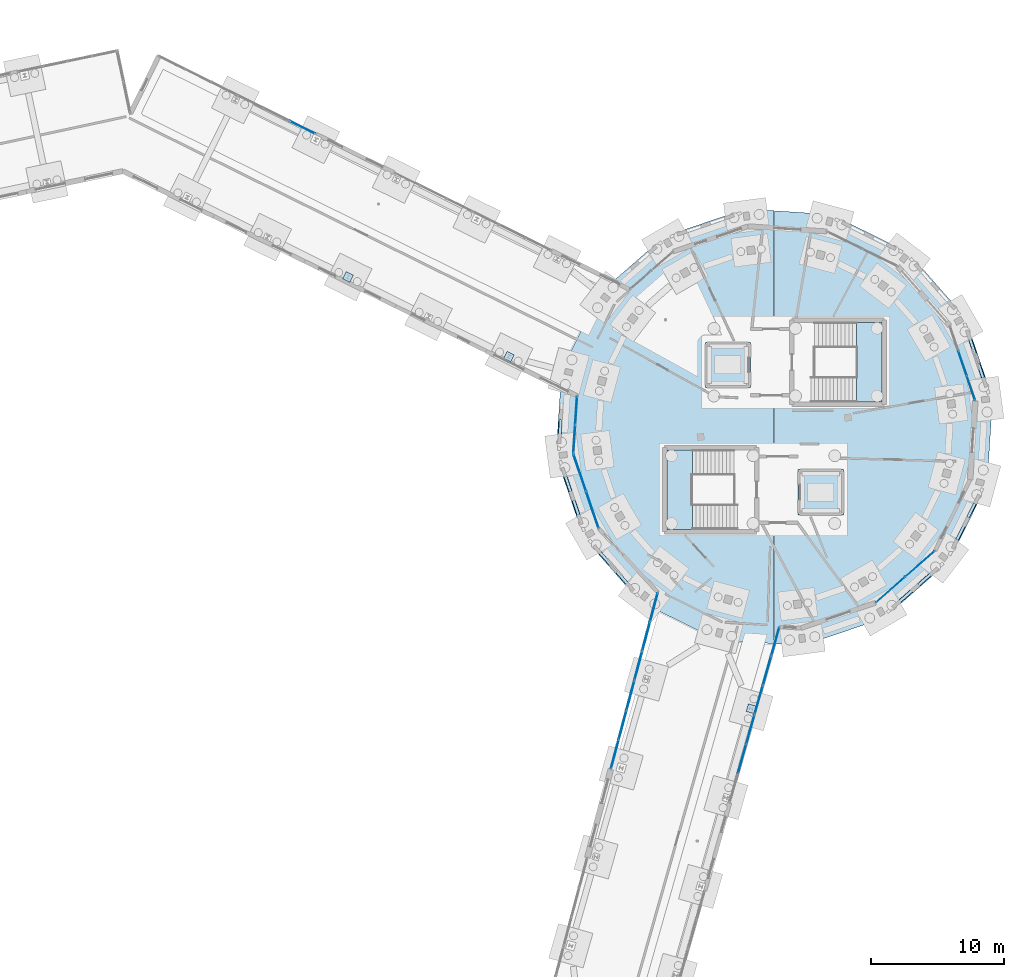
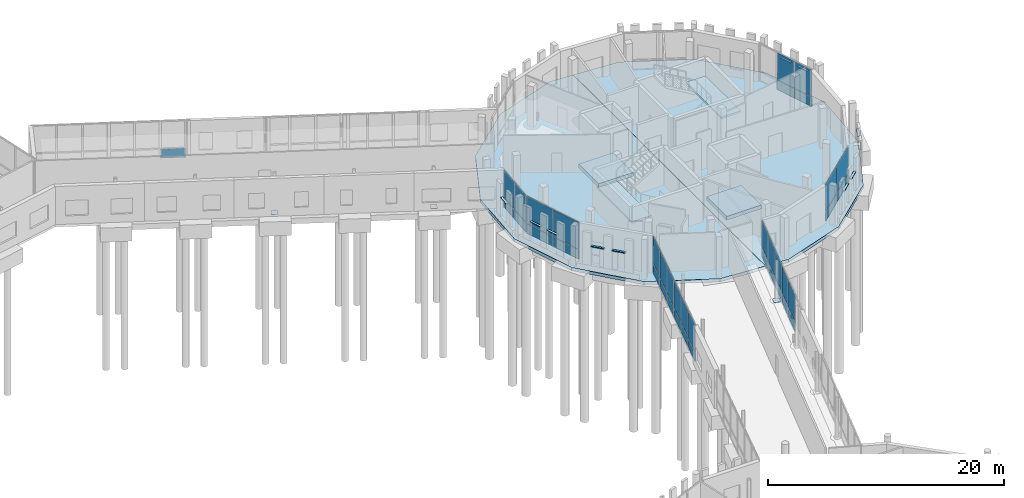
# One storey, part 73 of 113: 53 plates, 6 slabs, 11 elements without a shape of their own.
"""IFC4 building model written with IfcOpenShell, lengths in metres."""

from ifc_helpers import new_model, si_unit, direction, frame, origin, origin_2d, place, context, subcontext, project, spatial, polyline, rectangle, outline, extrude, material, layer, layer_set, type_object, element, aggregate, save


model = new_model("IFC4")

# Units and contexts
model_context = context("Model", 3, precision=1e-05, world=origin(), true_north=direction((0.0, 1.0)))
body_context = subcontext(model_context, "Body", "Model", "MODEL_VIEW")
ifc_project = project(units=[si_unit("LENGTHUNIT", "METRE"), si_unit("AREAUNIT", "SQUARE_METRE"), si_unit("VOLUMEUNIT", "CUBIC_METRE"), si_unit("PLANEANGLEUNIT", "RADIAN"), si_unit("MASSUNIT", "GRAM", prefix="KILO")], contexts=[model_context])

# Site, building, storey
site_placement = place(None, origin())
site = spatial("IfcSite", under=ifc_project, at=site_placement, CompositionType="ELEMENT")
building_placement = place(site_placement, origin())
building = spatial("IfcBuilding", under=site, at=building_placement, Name="Wrenclough Park School", CompositionType="ELEMENT")
storey_placement = place(building_placement, origin())
storey = spatial("IfcBuildingStorey", under=building, at=storey_placement, Name="L00", CompositionType="ELEMENT", Elevation=0.0)

# Curtain wall, plates
ifc_material_1 = material(Name="Thermally broken aluminium and low-e glass curtain wall", Category="aluminium")
curtain_wall_type_1 = type_object("IfcCurtainWallType", Name="ENV-CW-09", PredefinedType="USERDEFINED", material=ifc_material_1)
curtain_wall_1_placement = place(storey_placement, origin())
curtain_wall_1 = element("IfcCurtainWall", 1, at=curtain_wall_1_placement, inside=storey, type_object=curtain_wall_type_1, Name="L00 recessed curtain wall assembly 024", ObjectType="CURTAIN WALL", PredefinedType="USERDEFINED")
ifc_material_2 = material(Name="Double-glazed solar-control low-e glass", Category="glass")
ifc_layer_1 = layer(ifc_material_2, 0.02587890625)
ifc_layer_set_1 = layer_set([ifc_layer_1], Name="Double-glazed solar-control low-e glass")
plate_type_1 = type_object("IfcPlateType", Name="ENV-CWP-GL26", PredefinedType="CURTAIN_PANEL", material=ifc_layer_set_1)
plate_1_placement = place(storey_placement, frame((188.68896484375, 98.31640625, 0.06005859375), z_axis=(0.0, 0.0, 1.0), x_axis=(0.321428688473, -0.946933787668, 0.0)))
plate_1 = element("IfcPlate", 2, at=plate_1_placement, type_object=plate_type_1, Name="CW-09 panel 2.1", PredefinedType="CURTAIN_PANEL", context=body_context, shape_type="SweptSolid", body=[
    extrude(rectangle(XDim=1.92431640625, YDim=0.02587890625, at=origin_2d()), origin(), (0.0, 0.0, 1.0), 0.9599609375),
])
plate_2_placement = place(storey_placement, frame((188.68896484375, 98.31640625, 1.080078125), z_axis=(0.0, 0.0, 1.0), x_axis=(0.321428688473, -0.946933787668, 0.0)))
plate_2 = element("IfcPlate", 3, at=plate_2_placement, type_object=plate_type_1, Name="CW-09 panel 2.2", PredefinedType="CURTAIN_PANEL", context=body_context, shape_type="SweptSolid", body=[
    extrude(rectangle(XDim=1.92431640625, YDim=0.02587890625, at=origin_2d()), origin(), (0.0, 0.0, 1.0), 2.800048828125),
])
plate_3_placement = place(storey_placement, frame((189.322021484375, 96.45166015625, 0.06005859375), z_axis=(0.0, 0.0, 1.0), x_axis=(0.321428688473, -0.946933787668, 0.0)))
plate_3 = element("IfcPlate", 4, at=plate_3_placement, type_object=plate_type_1, Name="CW-09 panel 3.1", PredefinedType="CURTAIN_PANEL", context=body_context, shape_type="SweptSolid", body=[
    extrude(rectangle(XDim=1.894287109375, YDim=0.02587890625, at=origin_2d()), origin(), (0.0, 0.0, 1.0), 0.9599609375),
])
plate_4_placement = place(storey_placement, frame((189.322021484375, 96.45166015625, 1.080078125), z_axis=(0.0, 0.0, 1.0), x_axis=(0.321428688473, -0.946933787668, 0.0)))
plate_4 = element("IfcPlate", 5, at=plate_4_placement, type_object=plate_type_1, Name="CW-09 panel 3.2", PredefinedType="CURTAIN_PANEL", context=body_context, shape_type="SweptSolid", body=[
    extrude(rectangle(XDim=1.894287109375, YDim=0.02587890625, at=origin_2d()), origin(), (0.0, 0.0, 1.0), 2.800048828125),
])
aggregate(curtain_wall_1, [plate_1, plate_2, plate_3, plate_4])

curtain_wall_type_2 = type_object("IfcCurtainWallType", Name="ENV-CW-01", PredefinedType="USERDEFINED", material=ifc_material_1)
curtain_wall_2_placement = place(storey_placement, origin())
curtain_wall_2 = element("IfcCurtainWall", 6, at=curtain_wall_2_placement, inside=storey, type_object=curtain_wall_type_2, Name="L00 recessed curtain wall assembly 064", ObjectType="CURTAIN WALL", PredefinedType="USERDEFINED")
plate_5_placement = place(storey_placement, frame((159.425537109375, 92.611572265625, 0.06494140625), z_axis=(0.0, 0.0, 1.0), x_axis=(0.06538259936, 0.997860268625, 0.0)))
plate_5 = element("IfcPlate", 7, at=plate_5_placement, type_object=plate_type_1, Name="CW-01 panel 1.1", PredefinedType="CURTAIN_PANEL", context=body_context, shape_type="SweptSolid", body=[
    extrude(rectangle(XDim=2.078125, YDim=0.02587890625, at=origin_2d()), origin(), (0.0, 0.0, 1.0), 0.952392578125),
])
plate_6_placement = place(storey_placement, frame((159.425537109375, 92.611572265625, 1.08251953125), z_axis=(0.0, 0.0, 1.0), x_axis=(0.06538259936, 0.997860268625, 0.0)))
plate_6 = element("IfcPlate", 8, at=plate_6_placement, type_object=plate_type_1, Name="CW-01 panel 1.2", PredefinedType="CURTAIN_PANEL", context=body_context, shape_type="SweptSolid", body=[
    extrude(rectangle(XDim=2.078125, YDim=0.02587890625, at=origin_2d()), origin(), (0.0, 0.0, 1.0), 2.79248046875),
])
plate_7_placement = place(storey_placement, frame((159.565673828125, 94.750244140625, 0.06494140625), z_axis=(0.0, 0.0, 1.0), x_axis=(0.06538259936, 0.997860268625, 0.0)))
plate_7 = element("IfcPlate", 9, at=plate_7_placement, type_object=plate_type_1, Name="CW-01 panel 2.1", PredefinedType="CURTAIN_PANEL", context=body_context, shape_type="SweptSolid", body=[
    extrude(rectangle(XDim=2.078125, YDim=0.02587890625, at=origin_2d()), origin(), (0.0, 0.0, 1.0), 0.952392578125),
])
plate_8_placement = place(storey_placement, frame((159.565673828125, 94.750244140625, 1.08251953125), z_axis=(0.0, 0.0, 1.0), x_axis=(0.06538259936, 0.997860268625, 0.0)))
plate_8 = element("IfcPlate", 10, at=plate_8_placement, type_object=plate_type_1, Name="CW-01 panel 2.2", PredefinedType="CURTAIN_PANEL", context=body_context, shape_type="SweptSolid", body=[
    extrude(rectangle(XDim=2.078125, YDim=0.02587890625, at=origin_2d()), origin(), (0.0, 0.0, 1.0), 2.79248046875),
])
aggregate(curtain_wall_2, [plate_5, plate_6, plate_7, plate_8])

curtain_wall_type_3 = type_object("IfcCurtainWallType", Name="ENV-CW-10", PredefinedType="USERDEFINED", material=ifc_material_1)
curtain_wall_3_placement = place(storey_placement, origin())
curtain_wall_3 = element("IfcCurtainWall", 11, at=curtain_wall_3_placement, inside=storey, type_object=curtain_wall_type_3, Name="L00 recessed curtain wall assembly 025", ObjectType="CURTAIN WALL", PredefinedType="USERDEFINED")
ifc_material_3 = material(Name="Double-glazed acoustic low-e glass", Category="glass")
ifc_layer_2 = layer(ifc_material_3, 0.030029296875)
ifc_layer_set_2 = layer_set([ifc_layer_2], Name="Double-glazed acoustic low-e glass")
plate_type_2 = type_object("IfcPlateType", Name="ENV-CWP-GL30", PredefinedType="CURTAIN_PANEL", material=ifc_layer_set_2)
plate_9_placement = place(storey_placement, frame((185.486328125, 83.204833984375, 0.06494140625), z_axis=(0.0, 0.0, 1.0), x_axis=(-0.751822807743, -0.65936519908, 0.0)))
plate_9 = element("IfcPlate", 12, at=plate_9_placement, type_object=plate_type_2, Name="CW-10 panel 1.1", PredefinedType="CURTAIN_PANEL", context=body_context, shape_type="SweptSolid", body=[
    extrude(rectangle(XDim=2.87890625, YDim=0.030029296875, at=origin_2d()), origin(), (0.0, 0.0, 1.0), 0.952392578125),
])
plate_10_placement = place(storey_placement, frame((185.486328125, 83.204833984375, 1.08251953125), z_axis=(0.0, 0.0, 1.0), x_axis=(-0.751822807743, -0.65936519908, 0.0)))
plate_10 = element("IfcPlate", 13, at=plate_10_placement, type_object=plate_type_2, Name="CW-10 panel 1.2", PredefinedType="CURTAIN_PANEL", context=body_context, shape_type="SweptSolid", body=[
    extrude(rectangle(XDim=2.87890625, YDim=0.030029296875, at=origin_2d()), origin(), (0.0, 0.0, 1.0), 2.79248046875),
])
plate_11_placement = place(storey_placement, frame((183.27294921875, 81.263671875, 0.06494140625), z_axis=(0.0, 0.0, 1.0), x_axis=(-0.751822807743, -0.65936519908, 0.0)))
plate_11 = element("IfcPlate", 14, at=plate_11_placement, type_object=plate_type_2, Name="CW-10 panel 2.1", PredefinedType="CURTAIN_PANEL", context=body_context, shape_type="SweptSolid", body=[
    extrude(rectangle(XDim=2.87890625, YDim=0.030029296875, at=origin_2d()), origin(), (0.0, 0.0, 1.0), 0.952392578125),
])
plate_12_placement = place(storey_placement, frame((183.27294921875, 81.263671875, 1.08251953125), z_axis=(0.0, 0.0, 1.0), x_axis=(-0.751822807743, -0.65936519908, 0.0)))
plate_12 = element("IfcPlate", 15, at=plate_12_placement, type_object=plate_type_2, Name="CW-10 panel 2.2", PredefinedType="CURTAIN_PANEL", context=body_context, shape_type="SweptSolid", body=[
    extrude(rectangle(XDim=2.87890625, YDim=0.030029296875, at=origin_2d()), origin(), (0.0, 0.0, 1.0), 2.79248046875),
])
aggregate(curtain_wall_3, [plate_9, plate_10, plate_11, plate_12])

curtain_wall_type_4 = type_object("IfcCurtainWallType", Name="ENV-CW-11", PredefinedType="USERDEFINED", material=ifc_material_1)
curtain_wall_4_placement = place(storey_placement, origin())
curtain_wall_4 = element("IfcCurtainWall", 16, at=curtain_wall_4_placement, inside=storey, type_object=curtain_wall_type_4, Name="L00 recessed curtain wall assembly 026", ObjectType="CURTAIN WALL", PredefinedType="USERDEFINED")
ifc_material_4 = material(Name="Triple-glazed senior-lab low-e glass", Category="glass")
ifc_layer_3 = layer(ifc_material_4, 0.033935546875)
ifc_layer_set_3 = layer_set([ifc_layer_3], Name="Triple-glazed senior-lab low-e glass")
plate_type_3 = type_object("IfcPlateType", Name="ENV-CWP-GL34", PredefinedType="CURTAIN_PANEL", material=ifc_layer_set_3)
plate_13_placement = place(storey_placement, frame((174.572265625, 77.333984375, 0.06982421875), z_axis=(0.0, 0.0, 1.0), x_axis=(-0.272826107905, -0.962063363218, 0.0)))
plate_13 = element("IfcPlate", 17, at=plate_13_placement, type_object=plate_type_3, Name="CW-11 panel 1.1", PredefinedType="CURTAIN_PANEL", context=body_context, shape_type="SweptSolid", body=[
    extrude(rectangle(XDim=2.188720703125, YDim=0.033935546875, at=origin_2d()), origin(), (0.0, 0.0, 1.0), 0.945068359375),
])
plate_14_placement = place(storey_placement, frame((174.572265625, 77.333984375, 1.0849609375), z_axis=(0.0, 0.0, 1.0), x_axis=(-0.272826107905, -0.962063363218, 0.0)))
plate_14 = element("IfcPlate", 18, at=plate_14_placement, type_object=plate_type_3, Name="CW-11 panel 1.2", PredefinedType="CURTAIN_PANEL", context=body_context, shape_type="SweptSolid", body=[
    extrude(rectangle(XDim=2.188720703125, YDim=0.033935546875, at=origin_2d()), origin(), (0.0, 0.0, 1.0), 2.784912109375),
])
plate_15_placement = place(storey_placement, frame((173.951416015625, 75.144287109375, 0.06982421875), z_axis=(0.0, 0.0, 1.0), x_axis=(-0.272826107905, -0.962063363218, 0.0)))
plate_15 = element("IfcPlate", 19, at=plate_15_placement, type_object=plate_type_3, Name="CW-11 panel 2.1", PredefinedType="CURTAIN_PANEL", context=body_context, shape_type="SweptSolid", body=[
    extrude(rectangle(XDim=2.2236328125, YDim=0.033935546875, at=origin_2d()), origin(), (0.0, 0.0, 1.0), 0.945068359375),
])
plate_16_placement = place(storey_placement, frame((173.951416015625, 75.144287109375, 1.0849609375), z_axis=(0.0, 0.0, 1.0), x_axis=(-0.272826107905, -0.962063363218, 0.0)))
plate_16 = element("IfcPlate", 20, at=plate_16_placement, type_object=plate_type_3, Name="CW-11 panel 2.2", PredefinedType="CURTAIN_PANEL", context=body_context, shape_type="SweptSolid", body=[
    extrude(rectangle(XDim=2.2236328125, YDim=0.033935546875, at=origin_2d()), origin(), (0.0, 0.0, 1.0), 2.784912109375),
])
plate_17_placement = place(storey_placement, frame((173.330322265625, 72.954345703125, 0.06982421875), z_axis=(0.0, 0.0, 1.0), x_axis=(-0.272826107905, -0.962063363218, 0.0)))
plate_17 = element("IfcPlate", 21, at=plate_17_placement, type_object=plate_type_3, Name="CW-11 panel 3.1", PredefinedType="CURTAIN_PANEL", context=body_context, shape_type="SweptSolid", body=[
    extrude(rectangle(XDim=2.188720703125, YDim=0.033935546875, at=origin_2d()), origin(), (0.0, 0.0, 1.0), 0.945068359375),
])
plate_18_placement = place(storey_placement, frame((173.330322265625, 72.954345703125, 1.0849609375), z_axis=(0.0, 0.0, 1.0), x_axis=(-0.272826107905, -0.962063363218, 0.0)))
plate_18 = element("IfcPlate", 22, at=plate_18_placement, type_object=plate_type_3, Name="CW-11 panel 3.2", PredefinedType="CURTAIN_PANEL", context=body_context, shape_type="SweptSolid", body=[
    extrude(rectangle(XDim=2.188720703125, YDim=0.033935546875, at=origin_2d()), origin(), (0.0, 0.0, 1.0), 2.784912109375),
])
aggregate(curtain_wall_4, [plate_13, plate_14, plate_15, plate_16, plate_17, plate_18])

# Curtain wall, plate
curtain_wall_type_5 = type_object("IfcCurtainWallType", Name="ENV-CW-04", PredefinedType="USERDEFINED", material=ifc_material_1)
curtain_wall_5_placement = place(storey_placement, origin())
curtain_wall_5 = element("IfcCurtainWall", 23, at=curtain_wall_5_placement, inside=storey, type_object=curtain_wall_type_5, Name="L00 recessed curtain wall assembly 019", ObjectType="CURTAIN WALL", PredefinedType="USERDEFINED")
ifc_material_5 = material(Name="Laminated sports-concourse safety glass", Category="glass")
ifc_layer_4 = layer(ifc_material_5, 0.0380859375)
ifc_layer_set_4 = layer_set([ifc_layer_4], Name="Laminated sports-concourse safety glass")
plate_type_4 = type_object("IfcPlateType", Name="ENV-CWP-GL38", PredefinedType="CURTAIN_PANEL", material=ifc_layer_set_4)
plate_19_placement = place(storey_placement, frame((138.93115234375, 116.099609375, 0.06494140625), z_axis=(0.0, 0.0, 1.0), x_axis=(0.896274796564, -0.4434991421, 0.0)))
plate_19 = element("IfcPlate", 24, at=plate_19_placement, type_object=plate_type_4, Name="CW-04 panel 3.1", PredefinedType="CURTAIN_PANEL", context=body_context, shape_type="SweptSolid", body=[
    extrude(rectangle(XDim=2.1015625, YDim=0.0380859375, at=origin_2d()), origin(), (0.0, 0.0, 1.0), 0.952392578125),
])
aggregate(curtain_wall_5, [plate_19])

# Curtain wall, plates
curtain_wall_type_6 = type_object("IfcCurtainWallType", Name="ENV-CW-12", PredefinedType="USERDEFINED", material=ifc_material_1)
curtain_wall_6_placement = place(storey_placement, origin())
curtain_wall_6 = element("IfcCurtainWall", 25, at=curtain_wall_6_placement, inside=storey, type_object=curtain_wall_type_6, Name="L00 recessed curtain wall assembly 027", ObjectType="CURTAIN WALL", PredefinedType="USERDEFINED")
plate_20_placement = place(storey_placement, frame((172.693603515625, 70.708984375, 0.06005859375), z_axis=(0.0, 0.0, 1.0), x_axis=(-0.272808842354, -0.96206825929, 0.0)))
plate_20 = element("IfcPlate", 26, at=plate_20_placement, type_object=plate_type_4, Name="CW-12 panel 1.1", PredefinedType="CURTAIN_PANEL", context=body_context, shape_type="SweptSolid", body=[
    extrude(rectangle(XDim=2.20361328125, YDim=0.0380859375, at=origin_2d()), origin(), (0.0, 0.0, 1.0), 0.9599609375),
])
plate_21_placement = place(storey_placement, frame((172.693603515625, 70.708984375, 1.080078125), z_axis=(0.0, 0.0, 1.0), x_axis=(-0.272808842354, -0.96206825929, 0.0)))
plate_21 = element("IfcPlate", 27, at=plate_21_placement, type_object=plate_type_4, Name="CW-12 panel 1.2", PredefinedType="CURTAIN_PANEL", context=body_context, shape_type="SweptSolid", body=[
    extrude(rectangle(XDim=2.20361328125, YDim=0.0380859375, at=origin_2d()), origin(), (0.0, 0.0, 1.0), 2.800048828125),
])
plate_22_placement = place(storey_placement, frame((172.072021484375, 68.5166015625, 0.06005859375), z_axis=(0.0, 0.0, 1.0), x_axis=(-0.272808842354, -0.96206825929, 0.0)))
plate_22 = element("IfcPlate", 28, at=plate_22_placement, type_object=plate_type_4, Name="CW-12 panel 2.1", PredefinedType="CURTAIN_PANEL", context=body_context, shape_type="SweptSolid", body=[
    extrude(rectangle(XDim=2.233642578125, YDim=0.0380859375, at=origin_2d()), origin(), (0.0, 0.0, 1.0), 0.9599609375),
])
plate_23_placement = place(storey_placement, frame((172.072021484375, 68.5166015625, 1.080078125), z_axis=(0.0, 0.0, 1.0), x_axis=(-0.272808842354, -0.96206825929, 0.0)))
plate_23 = element("IfcPlate", 29, at=plate_23_placement, type_object=plate_type_4, Name="CW-12 panel 2.2", PredefinedType="CURTAIN_PANEL", context=body_context, shape_type="SweptSolid", body=[
    extrude(rectangle(XDim=2.233642578125, YDim=0.0380859375, at=origin_2d()), origin(), (0.0, 0.0, 1.0), 2.800048828125),
])
aggregate(curtain_wall_6, [plate_20, plate_21, plate_22, plate_23])

curtain_wall_type_7 = type_object("IfcCurtainWallType", Name="ENV-CW-14", PredefinedType="USERDEFINED", material=ifc_material_1)
curtain_wall_7_placement = place(storey_placement, origin())
curtain_wall_7 = element("IfcCurtainWall", 30, at=curtain_wall_7_placement, inside=storey, type_object=curtain_wall_type_7, Name="L00 recessed curtain wall assembly 061", ObjectType="CURTAIN WALL", PredefinedType="USERDEFINED")
ifc_material_6 = material(Name="Insulated anodised aluminium spandrel panel", Category="aluminium")
ifc_layer_5 = layer(ifc_material_6, 0.0419921875)
ifc_layer_set_5 = layer_set([ifc_layer_5], Name="Insulated anodised aluminium spandrel panel")
plate_type_5 = type_object("IfcPlateType", Name="ENV-CWP-SP42", PredefinedType="CURTAIN_PANEL", material=ifc_layer_set_5)
plate_24_placement = place(storey_placement, frame((162.4775390625, 68.8515625, 0.06494140625), z_axis=(0.0, 0.0, 1.0), x_axis=(0.256899612745, 0.966438093709, 0.0)))
plate_24 = element("IfcPlate", 31, at=plate_24_placement, type_object=plate_type_5, Name="CW-14 panel 1.1", PredefinedType="CURTAIN_PANEL", context=body_context, shape_type="SweptSolid", body=[
    extrude(rectangle(XDim=2.2001953125, YDim=0.0419921875, at=origin_2d()), origin(), (0.0, 0.0, 1.0), 0.952392578125),
])
plate_25_placement = place(storey_placement, frame((162.4775390625, 68.8515625, 1.08251953125), z_axis=(0.0, 0.0, 1.0), x_axis=(0.256899612745, 0.966438093709, 0.0)))
plate_25 = element("IfcPlate", 32, at=plate_25_placement, type_object=plate_type_5, Name="CW-14 panel 1.2", PredefinedType="CURTAIN_PANEL", context=body_context, shape_type="SweptSolid", body=[
    extrude(rectangle(XDim=2.2001953125, YDim=0.0419921875, at=origin_2d()), origin(), (0.0, 0.0, 1.0), 2.79248046875),
])
plate_26_placement = place(storey_placement, frame((163.063720703125, 71.056640625, 0.06494140625), z_axis=(0.0, 0.0, 1.0), x_axis=(0.256899612745, 0.966438093709, 0.0)))
plate_26 = element("IfcPlate", 33, at=plate_26_placement, type_object=plate_type_5, Name="CW-14 panel 2.1", PredefinedType="CURTAIN_PANEL", context=body_context, shape_type="SweptSolid", body=[
    extrude(rectangle(XDim=2.232666015625, YDim=0.0419921875, at=origin_2d()), origin(), (0.0, 0.0, 1.0), 0.952392578125),
])
plate_27_placement = place(storey_placement, frame((163.063720703125, 71.056640625, 1.08251953125), z_axis=(0.0, 0.0, 1.0), x_axis=(0.256899612745, 0.966438093709, 0.0)))
plate_27 = element("IfcPlate", 34, at=plate_27_placement, type_object=plate_type_5, Name="CW-14 panel 2.2", PredefinedType="CURTAIN_PANEL", context=body_context, shape_type="SweptSolid", body=[
    extrude(rectangle(XDim=2.232666015625, YDim=0.0419921875, at=origin_2d()), origin(), (0.0, 0.0, 1.0), 2.79248046875),
])
plate_28_placement = place(storey_placement, frame((163.64990234375, 73.261474609375, 0.06494140625), z_axis=(0.0, 0.0, 1.0), x_axis=(0.256899612745, 0.966438093709, 0.0)))
plate_28 = element("IfcPlate", 35, at=plate_28_placement, type_object=plate_type_5, Name="CW-14 panel 3.1", PredefinedType="CURTAIN_PANEL", context=body_context, shape_type="SweptSolid", body=[
    extrude(rectangle(XDim=2.2001953125, YDim=0.0419921875, at=origin_2d()), origin(), (0.0, 0.0, 1.0), 0.952392578125),
])
plate_29_placement = place(storey_placement, frame((163.64990234375, 73.261474609375, 1.08251953125), z_axis=(0.0, 0.0, 1.0), x_axis=(0.256899612745, 0.966438093709, 0.0)))
plate_29 = element("IfcPlate", 36, at=plate_29_placement, type_object=plate_type_5, Name="CW-14 panel 3.2", PredefinedType="CURTAIN_PANEL", context=body_context, shape_type="SweptSolid", body=[
    extrude(rectangle(XDim=2.2001953125, YDim=0.0419921875, at=origin_2d()), origin(), (0.0, 0.0, 1.0), 2.79248046875),
])
aggregate(curtain_wall_7, [plate_24, plate_25, plate_26, plate_27, plate_28, plate_29])

curtain_wall_type_8 = type_object("IfcCurtainWallType", Name="ENV-CW-15", PredefinedType="USERDEFINED", material=ifc_material_1)
curtain_wall_8_placement = place(storey_placement, origin())
curtain_wall_8 = element("IfcCurtainWall", 37, at=curtain_wall_8_placement, inside=storey, type_object=curtain_wall_type_8, Name="L00 recessed curtain wall assembly 062", ObjectType="CURTAIN WALL", PredefinedType="USERDEFINED")
ifc_material_7 = material(Name="Insulated patinated copper-toned spandrel panel", Category="aluminium")
ifc_layer_6 = layer(ifc_material_7, 0.048095703125)
ifc_layer_set_6 = layer_set([ifc_layer_6], Name="Insulated patinated copper-toned spandrel panel")
plate_type_6 = type_object("IfcPlateType", Name="ENV-CWP-SP48", PredefinedType="CURTAIN_PANEL", material=ifc_layer_set_6)
plate_30_placement = place(storey_placement, frame((164.250732421875, 75.522705078125, 0.06982421875), z_axis=(0.0, 0.0, 1.0), x_axis=(0.256896011105, 0.966439051093, 0.0)))
plate_30 = element("IfcPlate", 38, at=plate_30_placement, type_object=plate_type_6, Name="CW-15 panel 1.1", PredefinedType="CURTAIN_PANEL", context=body_context, shape_type="SweptSolid", body=[
    extrude(rectangle(XDim=2.19287109375, YDim=0.048095703125, at=origin_2d()), origin(), (0.0, 0.0, 1.0), 0.945068359375),
])
plate_31_placement = place(storey_placement, frame((164.250732421875, 75.522705078125, 1.0849609375), z_axis=(0.0, 0.0, 1.0), x_axis=(0.256896011105, 0.966439051093, 0.0)))
plate_31 = element("IfcPlate", 39, at=plate_31_placement, type_object=plate_type_6, Name="CW-15 panel 1.2", PredefinedType="CURTAIN_PANEL", context=body_context, shape_type="SweptSolid", body=[
    extrude(rectangle(XDim=2.19287109375, YDim=0.048095703125, at=origin_2d()), origin(), (0.0, 0.0, 1.0), 2.784912109375),
])
plate_32_placement = place(storey_placement, frame((164.836669921875, 77.7265625, 0.06982421875), z_axis=(0.0, 0.0, 1.0), x_axis=(0.256896011105, 0.966439051093, 0.0)))
plate_32 = element("IfcPlate", 40, at=plate_32_placement, type_object=plate_type_6, Name="CW-15 panel 2.1", PredefinedType="CURTAIN_PANEL", context=body_context, shape_type="SweptSolid", body=[
    extrude(rectangle(XDim=2.227783203125, YDim=0.048095703125, at=origin_2d()), origin(), (0.0, 0.0, 1.0), 0.945068359375),
])
plate_33_placement = place(storey_placement, frame((164.836669921875, 77.7265625, 1.0849609375), z_axis=(0.0, 0.0, 1.0), x_axis=(0.256896011105, 0.966439051093, 0.0)))
plate_33 = element("IfcPlate", 41, at=plate_33_placement, type_object=plate_type_6, Name="CW-15 panel 2.2", PredefinedType="CURTAIN_PANEL", context=body_context, shape_type="SweptSolid", body=[
    extrude(rectangle(XDim=2.227783203125, YDim=0.048095703125, at=origin_2d()), origin(), (0.0, 0.0, 1.0), 2.784912109375),
])
plate_34_placement = place(storey_placement, frame((165.42236328125, 79.93017578125, 0.06982421875), z_axis=(0.0, 0.0, 1.0), x_axis=(0.256896011105, 0.966439051093, 0.0)))
plate_34 = element("IfcPlate", 42, at=plate_34_placement, type_object=plate_type_6, Name="CW-15 panel 3.1", PredefinedType="CURTAIN_PANEL", context=body_context, shape_type="SweptSolid", body=[
    extrude(rectangle(XDim=2.19287109375, YDim=0.048095703125, at=origin_2d()), origin(), (0.0, 0.0, 1.0), 0.945068359375),
])
plate_35_placement = place(storey_placement, frame((165.42236328125, 79.93017578125, 1.0849609375), z_axis=(0.0, 0.0, 1.0), x_axis=(0.256896011105, 0.966439051093, 0.0)))
plate_35 = element("IfcPlate", 43, at=plate_35_placement, type_object=plate_type_6, Name="CW-15 panel 3.2", PredefinedType="CURTAIN_PANEL", context=body_context, shape_type="SweptSolid", body=[
    extrude(rectangle(XDim=2.19287109375, YDim=0.048095703125, at=origin_2d()), origin(), (0.0, 0.0, 1.0), 2.784912109375),
])
aggregate(curtain_wall_8, [plate_30, plate_31, plate_32, plate_33, plate_34, plate_35])

curtain_wall_type_9 = type_object("IfcCurtainWallType", Name="ENV-CW-16", PredefinedType="USERDEFINED", material=ifc_material_1)
curtain_wall_9_placement = place(storey_placement, origin())
curtain_wall_9 = element("IfcCurtainWall", 44, at=curtain_wall_9_placement, inside=storey, type_object=curtain_wall_type_9, Name="L00 recessed curtain wall assembly 063", ObjectType="CURTAIN WALL", PredefinedType="USERDEFINED")
ifc_material_8 = material(Name="Acoustic mineral-wool spandrel cassette", Category="aluminium")
ifc_layer_7 = layer(ifc_material_8, 0.053955078125)
ifc_layer_set_7 = layer_set([ifc_layer_7], Name="Acoustic mineral-wool spandrel cassette")
plate_type_7 = type_object("IfcPlateType", Name="ENV-CWP-SP54", PredefinedType="CURTAIN_PANEL", material=ifc_layer_set_7)
plate_36_placement = place(storey_placement, frame((160.78466796875, 87.288330078125, 0.06005859375), z_axis=(0.0, 0.0, 1.0), x_axis=(-0.321428688473, 0.946933787668, 0.0)))
plate_36 = element("IfcPlate", 45, at=plate_36_placement, type_object=plate_type_7, Name="CW-16 panel 1.1", PredefinedType="CURTAIN_PANEL", context=body_context, shape_type="SweptSolid", body=[
    extrude(rectangle(XDim=2.886474609375, YDim=0.053955078125, at=origin_2d()), origin(), (0.0, 0.0, 1.0), 0.9599609375),
])
plate_37_placement = place(storey_placement, frame((160.78466796875, 87.288330078125, 1.080078125), z_axis=(0.0, 0.0, 1.0), x_axis=(-0.321428688473, 0.946933787668, 0.0)))
plate_37 = element("IfcPlate", 46, at=plate_37_placement, type_object=plate_type_7, Name="CW-16 panel 1.2", PredefinedType="CURTAIN_PANEL", context=body_context, shape_type="SweptSolid", body=[
    extrude(rectangle(XDim=2.886474609375, YDim=0.053955078125, at=origin_2d()), origin(), (0.0, 0.0, 1.0), 2.800048828125),
])
plate_38_placement = place(storey_placement, frame((159.83740234375, 90.07861328125, 0.06005859375), z_axis=(0.0, 0.0, 1.0), x_axis=(-0.321428688473, 0.946933787668, 0.0)))
plate_38 = element("IfcPlate", 47, at=plate_38_placement, type_object=plate_type_7, Name="CW-16 panel 2.1", PredefinedType="CURTAIN_PANEL", context=body_context, shape_type="SweptSolid", body=[
    extrude(rectangle(XDim=2.886474609375, YDim=0.053955078125, at=origin_2d()), origin(), (0.0, 0.0, 1.0), 0.9599609375),
])
plate_39_placement = place(storey_placement, frame((159.83740234375, 90.07861328125, 1.080078125), z_axis=(0.0, 0.0, 1.0), x_axis=(-0.321428688473, 0.946933787668, 0.0)))
plate_39 = element("IfcPlate", 48, at=plate_39_placement, type_object=plate_type_7, Name="CW-16 panel 2.2", PredefinedType="CURTAIN_PANEL", context=body_context, shape_type="SweptSolid", body=[
    extrude(rectangle(XDim=2.886474609375, YDim=0.053955078125, at=origin_2d()), origin(), (0.0, 0.0, 1.0), 2.800048828125),
])
aggregate(curtain_wall_9, [plate_36, plate_37, plate_38, plate_39])

# Plates
ifc_material_9 = material(Name="Anodised architectural aluminium solar shading fin plate", Category="aluminium")
ifc_layer_8 = layer(ifc_material_9, 0.0380859375)
ifc_layer_set_8 = layer_set([ifc_layer_8], Name="Anodised architectural aluminium solar shading fin plate")
plate_type_8 = type_object("IfcPlateType", Name="ENV-PL-BSF", PredefinedType="SHEET", material=ifc_layer_set_8)
for number, where, z_axis, x_axis, name in (
    (49, (190.04833984375, 97.78662109375, 2.4951171875), (0.0, 0.0, 1.0), (-0.321426842345, 0.946934414318, 0.0), "D5 L00 open-bond brick screen tie band 0103"),
    (50, (189.44482421875, 99.564453125, 2.4951171875), (0.0, 0.0, 1.0), (-0.321426842345, 0.946934414318, 0.0), "D5 L00 open-bond brick screen tie band 0104"),
):
    element("IfcPlate", number, at=place(storey_placement, frame(where, z_axis=z_axis, x_axis=x_axis)), inside=storey, type_object=plate_type_8, Name=name, PredefinedType="SHEET", context=body_context, shape_type="SweptSolid", body=[
        extrude(rectangle(XDim=1.16748046875, YDim=0.219970703125, at=origin_2d()), origin(), (0.0, 0.0, 1.0), 0.0419921875),
    ])
plate_40_placement = place(storey_placement, frame((158.3671875, 93.54345703125, 2.4951171875), z_axis=(0.0, 0.0, 1.0), x_axis=(-0.065391631825, -0.997859676752, 0.0)))
element("IfcPlate", 51, at=plate_40_placement, inside=storey, type_object=plate_type_8, Name="D5 L00 open-bond brick screen tie band 0112", PredefinedType="SHEET", context=body_context, shape_type="SweptSolid", body=[
    extrude(rectangle(XDim=1.096435546875, YDim=0.219970703125, at=origin_2d()), origin(), (0.0, 0.0, 1.0), 0.0419921875),
])
for number, where, z_axis, x_axis, name in (
    (52, (158.95166015625, 89.21337890625, 2.4951171875), (0.0, 0.0, 1.0), (0.321426842345, -0.946934414318, 0.0), "D5 L00 open-bond brick screen tie band 0113"),
    (53, (159.55517578125, 87.435546875, 2.4951171875), (0.0, 0.0, 1.0), (0.321426842345, -0.946934414318, 0.0), "D5 L00 open-bond brick screen tie band 0114"),
    (54, (161.775390625, 83.58984375, 2.4951171875), (0.0, 0.0, 1.0), (0.659348912876, -0.751837090791, 0.0), "D5 L00 open-bond brick screen tie band 0115"),
    (55, (163.01318359375, 82.17822265625, 2.4951171875), (0.0, 0.0, 1.0), (0.659348912876, -0.751837090791, 0.0), "D5 L00 open-bond brick screen tie band 0116"),
    (56, (184.41015625, 80.775390625, 2.4951171875), (0.0, 0.0, 1.0), (0.751837090791, 0.659348912876, 0.0), "D5 L00 open-bond brick screen tie band 0117"),
    (57, (185.82177734375, 82.01318359375, 2.4951171875), (0.0, 0.0, 1.0), (0.751837090791, 0.659348912876, 0.0), "D5 L00 open-bond brick screen tie band 0118"),
    (58, (188.525146484375, 85.53662109375, 2.4951171875), (0.0, 0.0, 1.0), (0.44229991762, 0.896867204704, 0.0), "D5 L00 open-bond brick screen tie band 0119"),
    (59, (189.355712890625, 87.220458984375, 2.4951171875), (0.0, 0.0, 1.0), (0.44229991762, 0.896867204704, 0.0), "D5 L00 open-bond brick screen tie band 0120"),
):
    element("IfcPlate", number, at=place(storey_placement, frame(where, z_axis=z_axis, x_axis=x_axis)), inside=storey, type_object=plate_type_8, Name=name, PredefinedType="SHEET", context=body_context, shape_type="SweptSolid", body=[
        extrude(rectangle(XDim=1.16748046875, YDim=0.219970703125, at=origin_2d()), origin(), (0.0, 0.0, 1.0), 0.0419921875),
    ])

# Stair, slab
ifc_material_10 = material(Name="Precast concrete C40/50", Category="concrete")
stair_type = type_object("IfcStairType", Name="INT-ST-190-42", PredefinedType="HALF_TURN_STAIR", material=ifc_material_10)
stair_1_placement = place(storey_placement, origin())
stair_1 = element("IfcStair", 60, at=stair_1_placement, inside=storey, type_object=stair_type, Name="L00 escape stair ST-05", PredefinedType="HALF_TURN_STAIR")
ifc_layer_9 = layer(ifc_material_10, 0.195068359375)
ifc_layer_set_9 = layer_set([ifc_layer_9], Name="Precast concrete C40/50")
slab_type_1 = type_object("IfcSlabType", Name="INT-SL-LAND195", PredefinedType="LANDING", material=ifc_layer_set_9)
slab_1_placement = place(storey_placement, frame((0.0, 0.0, 1.989013671875)))
slab_1 = element("IfcSlab", 61, at=slab_1_placement, type_object=slab_type_1, Name="ST-05 landing 1", PredefinedType="LANDING", context=body_context, shape_type="SweptSolid", body=[
    extrude(outline(polyline([(166.39990234375, 85.800048828125), (168.322998046875, 85.800048828125), (168.322998046875, 91.800048828125), (166.39990234375, 91.800048828125), (166.39990234375, 85.800048828125)])), origin(), (0.0, 0.0, 1.0), 0.195068359375),
])
aggregate(stair_1, [slab_1])

stair_2_placement = place(storey_placement, origin())
stair_2 = element("IfcStair", 62, at=stair_2_placement, inside=storey, type_object=stair_type, Name="L00 escape stair ST-06", PredefinedType="HALF_TURN_STAIR")
slab_2_placement = place(storey_placement, frame((0.0, 0.0, 1.989013671875)))
slab_2 = element("IfcSlab", 63, at=slab_2_placement, type_object=slab_type_1, Name="ST-06 landing 1", PredefinedType="LANDING", context=body_context, shape_type="SweptSolid", body=[
    extrude(outline(polyline([(180.677001953125, 95.39990234375), (182.60009765625, 95.39990234375), (182.60009765625, 101.39990234375), (180.677001953125, 101.39990234375), (180.677001953125, 95.39990234375)])), origin(), (0.0, 0.0, 1.0), 0.195068359375),
])
aggregate(stair_2, [slab_2])

# Plates
ifc_material_11 = material(Name="Structural steel S355", Category="steel")
ifc_layer_10 = layer(ifc_material_11, 0.030029296875)
ifc_layer_set_10 = layer_set([ifc_layer_10], Name="Structural steel S355")
plate_type_9 = type_object("IfcPlateType", Name="STR-PL-BP4", PredefinedType="SHEET", material=ifc_layer_set_10)
for number, where, z_axis, x_axis, name in (
    (64, (172.744384765625, 72.281494140625, 0.0), (0.0, 0.0, 1.0), (0.272784025857, 0.962075296033, 0.0), "Steel column baseplate W14-C1-R07"),
    (65, (142.369140625, 104.8251953125, 0.0), (0.0, 0.0, 1.0), (0.896254315973, -0.443540529265, 0.0), "Steel column baseplate W45-C2-R03"),
    (66, (154.494140625, 98.8251953125, 0.0), (0.0, 0.0, 1.0), (0.896254315973, -0.443540529265, 0.0), "Steel column baseplate W45-C2-R05"),
):
    element("IfcPlate", number, at=place(storey_placement, frame(where, z_axis=z_axis, x_axis=x_axis)), inside=storey, type_object=plate_type_9, Name=name, PredefinedType="SHEET", context=body_context, shape_type="SweptSolid", body=[
        extrude(rectangle(XDim=0.60009765625, YDim=0.60009765625, at=origin_2d()), origin(), (0.0, 0.0, 1.0), 0.030029296875),
    ])

# Slabs
ifc_material_12 = material(Name="Concrete C35/45", Category="concrete")
ifc_layer_11 = layer(ifc_material_12, 0.324951171875)
ifc_layer_set_11 = layer_set([ifc_layer_11], Name="Concrete C35/45")
slab_type_2 = type_object("IfcSlabType", Name="STR-SL-BASE325", PredefinedType="BASESLAB", material=ifc_layer_set_11)
slab_3_placement = place(storey_placement, frame((0.0, 0.0, -0.324951171875)))
element("IfcSlab", 67, at=slab_3_placement, inside=storey, type_object=slab_type_2, Name="D5 L00 structural slab SLAB-D5-L00-W", PredefinedType="BASESLAB", context=body_context, shape_type="SweptSolid", body=[
    extrude(outline(polyline([(170.20361328125, 77.465576171875), (174.493896484375, 77.184326171875), (174.493896484375, 109.81640625), (172.333251953125, 109.9580078125), (166.199951171875, 107.8759765625), (161.330322265625, 103.60546875), (158.465576171875, 97.79638671875), (158.0419921875, 91.333251953125), (160.1240234375, 85.199951171875), (164.39453125, 80.330322265625), (170.20361328125, 77.465576171875)])), origin(), (0.0, 0.0, 1.0), 0.324951171875),
])
slab_4_placement = place(storey_placement, frame((0.0, 0.0, -0.324951171875)))
element("IfcSlab", 68, at=slab_4_placement, inside=storey, type_object=slab_type_2, Name="D5 L00 structural slab SLAB-D5-L00-E", PredefinedType="BASESLAB", context=body_context, shape_type="SweptSolid", body=[
    extrude(outline(polyline([(178.79638671875, 109.534423828125), (174.506103515625, 109.815673828125), (174.506103515625, 77.18359375), (176.666748046875, 77.0419921875), (182.800048828125, 79.1240234375), (187.669677734375, 83.39453125), (190.534423828125, 89.20361328125), (190.9580078125, 95.666748046875), (188.8759765625, 101.800048828125), (184.60546875, 106.669677734375), (178.79638671875, 109.534423828125)])), origin(), (0.0, 0.0, 1.0), 0.324951171875),
])
ifc_material_13 = material(Name="Concrete C40/50", Category="concrete")
ifc_layer_12 = layer(ifc_material_13, 0.39990234375)
ifc_layer_set_12 = layer_set([ifc_layer_12], Name="Concrete C40/50")
slab_type_3 = type_object("IfcSlabType", Name="STR-SL-PIT400", PredefinedType="BASESLAB", material=ifc_layer_set_12)
slab_5_placement = place(storey_placement, frame((0.0, 0.0, -1.800048828125)))
element("IfcSlab", 69, at=slab_5_placement, inside=storey, type_object=slab_type_3, Name="Lift LFT-01 reinforced concrete pit slab", PredefinedType="BASESLAB", context=body_context, shape_type="SweptSolid", body=[
    extrude(outline(polyline([(176.300048828125, 86.89990234375), (179.699951171875, 86.89990234375), (179.699951171875, 90.300048828125), (176.300048828125, 90.300048828125), (176.300048828125, 86.89990234375)])), origin(), (0.0, 0.0, 1.0), 0.400146484375),
])
slab_6_placement = place(storey_placement, frame((0.0, 0.0, -1.800048828125)))
element("IfcSlab", 70, at=slab_6_placement, inside=storey, type_object=slab_type_3, Name="Lift LFT-02 reinforced concrete pit slab", PredefinedType="BASESLAB", context=body_context, shape_type="SweptSolid", body=[
    extrude(outline(polyline([(169.300048828125, 96.5), (172.699951171875, 96.5), (172.699951171875, 99.89990234375), (169.300048828125, 99.89990234375), (169.300048828125, 96.5)])), origin(), (0.0, 0.0, 1.0), 0.400146484375),
])

save(model, "model.ifc")
